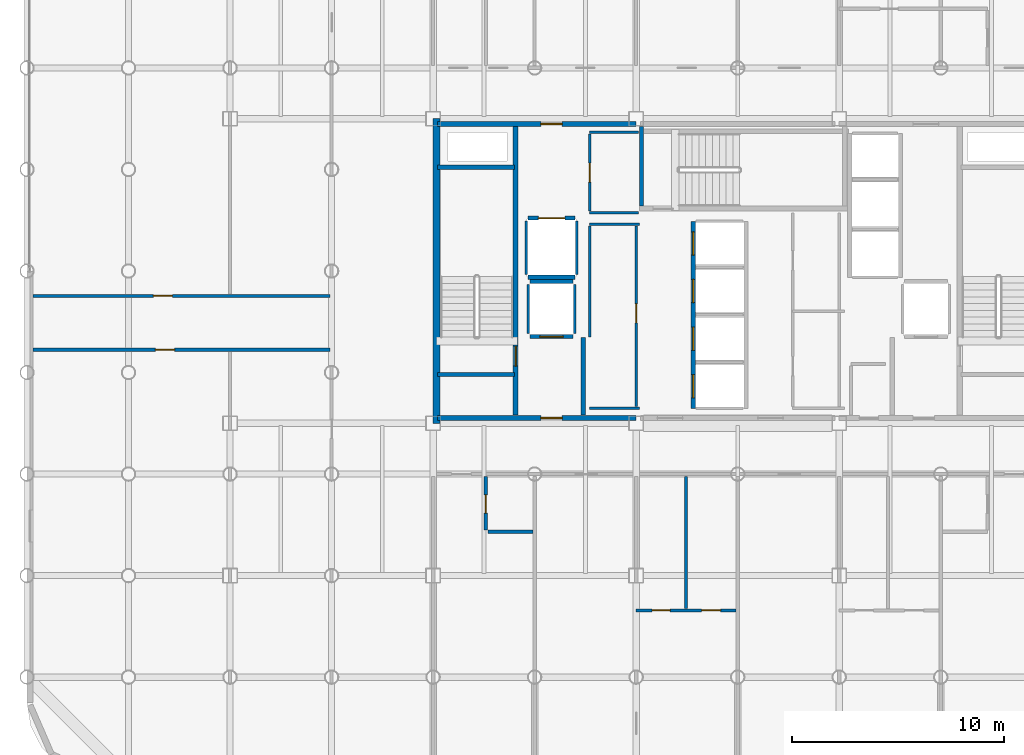
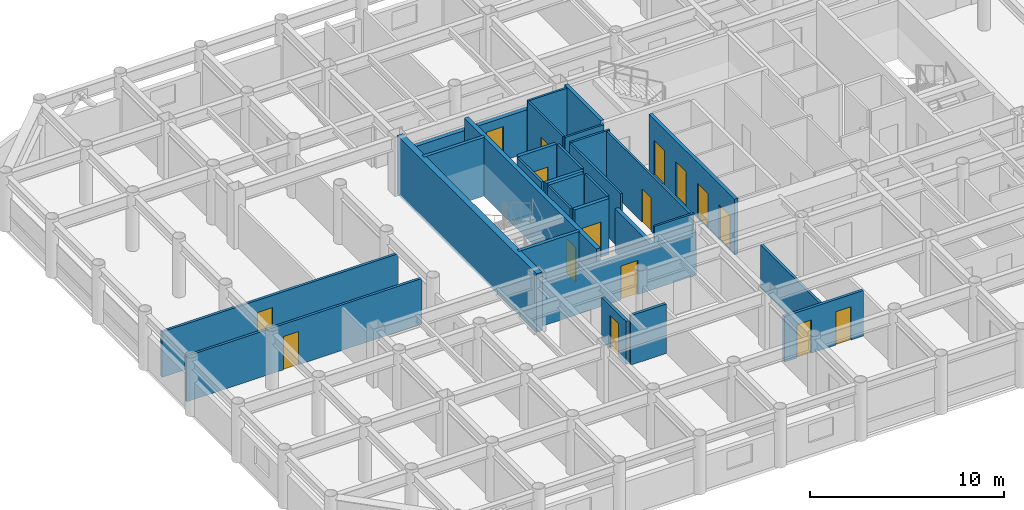
# One storey, part 16 of 20: 30 walls, 16 doors, 16 openings.
"""IFC4 building model written with IfcOpenShell, lengths in metres."""

from ifc_helpers import new_model, si_unit, direction, frame, frame_2d, origin, place, context, subcontext, project, spatial, rectangle, extrude, material, layer, layer_set, type_object, element, fill, save


model = new_model("IFC4")

# Units and contexts
model_context = context("Model", 3, precision=1e-05, world=origin(), true_north=direction((0.0, 1.0)))
body_context = subcontext(model_context, "Body", "Model", "MODEL_VIEW")
ifc_project = project(units=[si_unit("LENGTHUNIT", "METRE"), si_unit("AREAUNIT", "SQUARE_METRE"), si_unit("VOLUMEUNIT", "CUBIC_METRE"), si_unit("PLANEANGLEUNIT", "RADIAN"), si_unit("MASSUNIT", "GRAM", prefix="KILO")], contexts=[model_context])

# Site, building, storey
site_placement = place(None, origin())
site = spatial("IfcSite", under=ifc_project, at=site_placement, CompositionType="ELEMENT")
building_placement = place(site_placement, origin())
building = spatial("IfcBuilding", under=site, at=building_placement, Name="Kallvorn Hotel Tower", CompositionType="ELEMENT")
storey_placement = place(building_placement, frame((0.0, 0.0, 161.800048828125)))
storey = spatial("IfcBuildingStorey", under=building, at=storey_placement, Name="L40", CompositionType="ELEMENT", Elevation=161.800048828125)

# Wall
ifc_material_1 = material(Name="Concrete C50/60", Category="concrete")
ifc_layer_1 = layer(ifc_material_1, 0.35009765625)
ifc_layer_set_1 = layer_set([ifc_layer_1], Name="WL_CORE_350")
wall_type_1 = type_object("IfcWallType", Name="WL_CORE_350", PredefinedType="SHEAR", material=ifc_layer_set_1)
wall_1_placement = place(storey_placement, frame((-14.239990234375, -7.199951171875, -0.179931640625), z_axis=(0.0, 0.0, 1.0), x_axis=(0.0, 1.0, 0.0)))
element("IfcWall", 1, at=wall_1_placement, inside=storey, type_object=wall_type_1, Name="L40 Core West Shear Wall", PredefinedType="SHEAR", context=body_context, shape_type="SweptSolid", body=[
    extrude(rectangle(XDim=14.39990234375, YDim=0.35009765625, at=frame_2d((7.199951171875, 0.0))), origin(), (0.0, 0.0, 1.0), 3.699951171875),
])

# Wall, openings, doors
ifc_material_2 = material(Name="Fire-rated double-layer acoustic gypsum drywall EI 60")
ifc_layer_2 = layer(ifc_material_2, 0.159912109375)
ifc_layer_set_2 = layer_set([ifc_layer_2], Name="WL_DEMISE_160")
wall_type_2 = type_object("IfcWallType", Name="WL_DEMISE_160", PredefinedType="PARTITIONING", material=ifc_layer_set_2)
wall_2_placement = place(storey_placement, frame((-4.800048828125, -16.050048828125, 0.0), z_axis=(0.0, 0.0, 1.0), x_axis=(1.0, 0.0, 0.0)))
wall_2 = element("IfcWall", 2, at=wall_2_placement, inside=storey, type_object=wall_type_2, Name="L40 Suite 4002 Executive Bedroom Partition", PredefinedType="PARTITIONING", context=body_context, shape_type="SweptSolid", body=[
    extrude(rectangle(XDim=4.719970703125, YDim=0.159912109375, at=frame_2d((2.35986328125, 0.0))), origin(), (0.0, 0.0, 1.0), 2.869873046875),
])
opening_1_placement = place(wall_2_placement, frame((0.75, 0.0, 0.0)))
opening_1 = element("IfcOpeningElement", 3, at=opening_1_placement, cuts=wall_2, Name="Opening BD-I", PredefinedType="OPENING", context=body_context, shape_type="SweptSolid", body=[
    extrude(rectangle(XDim=0.860107421875, YDim=2.10009765625, at=frame_2d((0.43017578125, 1.050048828125))), frame((0.0, 0.094970703125, 0.0), z_axis=(0.0, -1.0, 0.0), x_axis=(1.0, 0.0, 0.0)), (0.0, 0.0, 1.0), 0.18994140625),
])
opening_2_placement = place(wall_2_placement, frame((3.090087890625, 0.0, 0.0)))
opening_2 = element("IfcOpeningElement", 4, at=opening_2_placement, cuts=wall_2, Name="Opening SVD1", PredefinedType="OPENING", context=body_context, shape_type="SweptSolid", body=[
    extrude(rectangle(XDim=0.89990234375, YDim=2.10009765625, at=frame_2d((0.449951171875, 1.050048828125))), frame((0.0, 0.094970703125, 0.0), z_axis=(0.0, -1.0, 0.0), x_axis=(1.0, 0.0, 0.0)), (0.0, 0.0, 1.0), 0.18994140625),
])
ifc_material_3 = material(Name="Solid-core walnut veneer fire-rated timber door leaf", Category="wood")
door_type_1 = type_object("IfcDoorType", Name="DR_BATH_860x2100", OperationType="NOTDEFINED", PredefinedType="DOOR", material=ifc_material_3)
door_1_placement = place(opening_1_placement, origin())
door_1 = element("IfcDoor", 5, at=door_1_placement, inside=storey, type_object=door_type_1, Name="L40 Suite 4002 En-Suite Bathroom Door", OperationType="SINGLE_SWING_RIGHT", OverallHeight=2.10009765625, OverallWidth=0.860107421875, PredefinedType="DOOR", context=body_context, shape_type="SweptSolid", body=[
    extrude(rectangle(XDim=0.860107421875, YDim=2.10009765625, at=frame_2d((0.43017578125, 1.050048828125))), frame((0.0, 0.02490234375, 0.0), z_axis=(0.0, -1.0, 0.0), x_axis=(1.0, 0.0, 0.0)), (0.0, 0.0, 1.0), 0.050048828125),
])
fill(opening_1, door_1)
ifc_material_4 = material(Name="Galvanised painted steel fire-rated door assembly", Category="steel")
door_type_2 = type_object("IfcDoorType", Name="DR_SERV_900x2100", OperationType="NOTDEFINED", PredefinedType="DOOR", material=ifc_material_4)
door_2_placement = place(opening_2_placement, origin())
door_2 = element("IfcDoor", 6, at=door_2_placement, inside=storey, type_object=door_type_2, Name="L40 Suite 4002 Walk-In Dressing Closet Door", OperationType="SINGLE_SWING_LEFT", OverallHeight=2.10009765625, OverallWidth=0.89990234375, PredefinedType="DOOR", context=body_context, shape_type="SweptSolid", body=[
    extrude(rectangle(XDim=0.89990234375, YDim=2.10009765625, at=frame_2d((0.449951171875, 1.050048828125))), frame((0.0, 0.02490234375, 0.0), z_axis=(0.0, -1.0, 0.0), x_axis=(1.0, 0.0, 0.0)), (0.0, 0.0, 1.0), 0.050048828125),
])
fill(opening_2, door_2)

# Wall
wall_3_placement = place(storey_placement, frame((-11.81005859375, -12.320068359375, 0.0), z_axis=(0.0, 0.0, 1.0), x_axis=(1.0, 0.0, 0.0)))
element("IfcWall", 7, at=wall_3_placement, inside=storey, type_object=wall_type_2, Name="L40 Suite 4001 Superior Twin Room Partition", PredefinedType="PARTITIONING", context=body_context, shape_type="SweptSolid", body=[
    extrude(rectangle(XDim=2.130126953125, YDim=0.159912109375, at=frame_2d((1.06494140625, 0.0))), origin(), (0.0, 0.0, 1.0), 3.119873046875),
])

# Wall, opening, door
wall_4_placement = place(storey_placement, frame((-11.905029296875, -12.235107421875, 0.0), z_axis=(0.0, 0.0, 1.0), x_axis=(0.0, 1.0, 0.0)))
wall_4 = element("IfcWall", 8, at=wall_4_placement, inside=storey, type_object=wall_type_2, Name="L40 Suite 4001 Superior Twin Room Partition", PredefinedType="PARTITIONING", context=body_context, shape_type="SweptSolid", body=[
    extrude(rectangle(XDim=2.51513671875, YDim=0.159912109375, at=frame_2d((1.257568359375, 0.0))), origin(), (0.0, 0.0, 1.0), 2.719970703125),
])
opening_3_placement = place(wall_4_placement, frame((0.784912109375, 0.0, 0.0)))
opening_3 = element("IfcOpeningElement", 9, at=opening_3_placement, cuts=wall_4, Name="Opening BD-I", PredefinedType="OPENING", context=body_context, shape_type="SweptSolid", body=[
    extrude(rectangle(XDim=0.860107421875, YDim=2.10009765625, at=frame_2d((0.43017578125, 1.050048828125))), frame((0.0, 0.094970703125, 0.0), z_axis=(0.0, -1.0, 0.0), x_axis=(1.0, 0.0, 0.0)), (0.0, 0.0, 1.0), 0.18994140625),
])
door_3_placement = place(opening_3_placement, origin())
door_3 = element("IfcDoor", 10, at=door_3_placement, inside=storey, type_object=door_type_1, Name="L40 Suite 4001 En-Suite Bathroom Door", OperationType="SINGLE_SWING_RIGHT", OverallHeight=2.10009765625, OverallWidth=0.860107421875, PredefinedType="DOOR", context=body_context, shape_type="SweptSolid", body=[
    extrude(rectangle(XDim=0.860107421875, YDim=2.10009765625, at=frame_2d((0.43017578125, 1.050048828125))), frame((0.0, 0.02490234375, 0.0), z_axis=(0.0, -1.0, 0.0), x_axis=(1.0, 0.0, 0.0)), (0.0, 0.0, 1.0), 0.050048828125),
])
fill(opening_3, door_3)

# Walls
ifc_material_5 = material(Name="Concrete C40/50", Category="concrete")
ifc_layer_3 = layer(ifc_material_5, 0.219970703125)
ifc_layer_set_3 = layer_set([ifc_layer_3], Name="WL_FFL_220")
wall_type_3 = type_object("IfcWallType", Name="WL_FFL_220", PredefinedType="SOLIDWALL", material=ifc_layer_set_3)
wall_5_placement = place(storey_placement, frame((-7.300048828125, -6.820068359375, 0.0), z_axis=(0.0, 0.0, 1.0), x_axis=(0.0, 1.0, 0.0)))
element("IfcWall", 11, at=wall_5_placement, inside=storey, type_object=wall_type_3, Name="L40 Firefighting Lobby West Divider Wall", PredefinedType="SOLIDWALL", context=body_context, shape_type="SweptSolid", body=[
    extrude(rectangle(XDim=3.670166015625, YDim=0.219970703125, at=frame_2d((1.8349609375, 0.0))), origin(), (0.0, 0.0, 1.0), 2.719970703125),
])
ifc_material_6 = material(Name="Concrete C40/50", Category="concrete")
ifc_layer_4 = layer(ifc_material_6, 0.199951171875)
ifc_layer_set_4 = layer_set([ifc_layer_4], Name="WL_HOIST_200")
wall_type_4 = type_object("IfcWallType", Name="WL_HOIST_200", PredefinedType="SOLIDWALL", material=ifc_layer_set_4)
for number, where, z_axis, x_axis, name in (
    (12, (-14.199951171875, -4.89990234375, -0.179931640625), (0.0, 0.0, 1.0), (1.0, 0.0, 0.0), "L40 Stair ST1 South Wall"),
    (13, (-14.199951171875, 4.89990234375, -0.179931640625), (0.0, 0.0, 1.0), (1.0, 0.0, 0.0), "L40 Stair ST1 North Wall"),
):
    element("IfcWall", number, at=place(storey_placement, frame(where, z_axis=z_axis, x_axis=x_axis)), inside=storey, type_object=wall_type_4, Name=name, PredefinedType="SOLIDWALL", context=body_context, shape_type="SweptSolid", body=[
        extrude(rectangle(XDim=3.64990234375, YDim=0.199951171875, at=frame_2d((1.824951171875, 0.0))), origin(), (0.0, 0.0, 1.0), 3.699951171875),
    ])
wall_6_placement = place(storey_placement, frame((-4.550048828125, 3.080078125, -0.179931640625), z_axis=(0.0, 0.0, 1.0), x_axis=(0.0, 1.0, 0.0)))
element("IfcWall", 14, at=wall_6_placement, inside=storey, type_object=wall_type_4, Name="L40 Stair ST3 West Wall", PredefinedType="SOLIDWALL", context=body_context, shape_type="SweptSolid", body=[
    extrude(rectangle(XDim=3.739990234375, YDim=0.199951171875, at=frame_2d((1.8701171875, 0.0))), origin(), (0.0, 0.0, 1.0), 3.699951171875),
])

# Wall, openings, doors
wall_7_placement = place(storey_placement, frame((-2.10009765625, -6.5, 0.0), z_axis=(0.0, 0.0, 1.0), x_axis=(0.0, 1.0, 0.0)))
wall_7 = element("IfcWall", 15, at=wall_7_placement, inside=storey, type_object=wall_type_4, Name="L40 Lift Bank B2 Landing Wall", PredefinedType="SOLIDWALL", context=body_context, shape_type="SweptSolid", body=[
    extrude(rectangle(XDim=8.85009765625, YDim=0.199951171875, at=frame_2d((4.425048828125, 0.0))), origin(), (0.0, 0.0, 1.0), 3.52001953125),
])
opening_4_placement = place(wall_7_placement, frame((0.5, 0.0, 0.0)))
opening_4 = element("IfcOpeningElement", 16, at=opening_4_placement, cuts=wall_7, Name="Opening LD-PL-05", PredefinedType="OPENING", context=body_context, shape_type="SweptSolid", body=[
    extrude(rectangle(XDim=1.10009765625, YDim=2.199951171875, at=frame_2d((0.550048828125, 1.10009765625))), frame((0.0, 0.114990234375, 0.0), z_axis=(0.0, -1.0, 0.0), x_axis=(1.0, 0.0, 0.0)), (0.0, 0.0, 1.0), 0.22998046875),
])
opening_5_placement = place(wall_7_placement, frame((2.75, 0.0, 0.0)))
opening_5 = element("IfcOpeningElement", 17, at=opening_5_placement, cuts=wall_7, Name="Opening LD-PL-06", PredefinedType="OPENING", context=body_context, shape_type="SweptSolid", body=[
    extrude(rectangle(XDim=1.10009765625, YDim=2.199951171875, at=frame_2d((0.550048828125, 1.10009765625))), frame((0.0, 0.114990234375, 0.0), z_axis=(0.0, -1.0, 0.0), x_axis=(1.0, 0.0, 0.0)), (0.0, 0.0, 1.0), 0.22998046875),
])
opening_6_placement = place(wall_7_placement, frame((5.0, 0.0, 0.0)))
opening_6 = element("IfcOpeningElement", 18, at=opening_6_placement, cuts=wall_7, Name="Opening LD-PL-07", PredefinedType="OPENING", context=body_context, shape_type="SweptSolid", body=[
    extrude(rectangle(XDim=1.10009765625, YDim=2.199951171875, at=frame_2d((0.550048828125, 1.10009765625))), frame((0.0, 0.114990234375, 0.0), z_axis=(0.0, -1.0, 0.0), x_axis=(1.0, 0.0, 0.0)), (0.0, 0.0, 1.0), 0.22998046875),
])
opening_7_placement = place(wall_7_placement, frame((7.25, 0.0, 0.0)))
opening_7 = element("IfcOpeningElement", 19, at=opening_7_placement, cuts=wall_7, Name="Opening LD-PL-08", PredefinedType="OPENING", context=body_context, shape_type="SweptSolid", body=[
    extrude(rectangle(XDim=1.10009765625, YDim=2.199951171875, at=frame_2d((0.550048828125, 1.10009765625))), frame((0.0, 0.114990234375, 0.0), z_axis=(0.0, -1.0, 0.0), x_axis=(1.0, 0.0, 0.0)), (0.0, 0.0, 1.0), 0.22998046875),
])
ifc_material_7 = material(Name="Brushed stainless-steel automatic sliding lift landing door", Category="steel")
door_type_3 = type_object("IfcDoorType", Name="LD_PASS_1100x2200", OperationType="SLIDING_TO_LEFT", PredefinedType="DOOR", material=ifc_material_7)
door_4_placement = place(opening_4_placement, origin())
door_4 = element("IfcDoor", 20, at=door_4_placement, inside=storey, type_object=door_type_3, Name="L40 Lift Landing Sliding Door LD-PL-05", OperationType="SLIDING_TO_LEFT", OverallHeight=2.199951171875, OverallWidth=1.10009765625, PredefinedType="DOOR", context=body_context, shape_type="SweptSolid", body=[
    extrude(rectangle(XDim=1.10009765625, YDim=2.199951171875, at=frame_2d((0.550048828125, 1.10009765625))), frame((0.0, 0.02490234375, 0.0), z_axis=(0.0, -1.0, 0.0), x_axis=(1.0, 0.0, 0.0)), (0.0, 0.0, 1.0), 0.050048828125),
])
fill(opening_4, door_4)
door_5_placement = place(opening_5_placement, origin())
door_5 = element("IfcDoor", 21, at=door_5_placement, inside=storey, type_object=door_type_3, Name="L40 Lift Landing Sliding Door LD-PL-06", OperationType="SLIDING_TO_LEFT", OverallHeight=2.199951171875, OverallWidth=1.10009765625, PredefinedType="DOOR", context=body_context, shape_type="SweptSolid", body=[
    extrude(rectangle(XDim=1.10009765625, YDim=2.199951171875, at=frame_2d((0.550048828125, 1.10009765625))), frame((0.0, 0.02490234375, 0.0), z_axis=(0.0, -1.0, 0.0), x_axis=(1.0, 0.0, 0.0)), (0.0, 0.0, 1.0), 0.050048828125),
])
fill(opening_5, door_5)
door_6_placement = place(opening_6_placement, origin())
door_6 = element("IfcDoor", 22, at=door_6_placement, inside=storey, type_object=door_type_3, Name="L40 Lift Landing Sliding Door LD-PL-07", OperationType="SLIDING_TO_LEFT", OverallHeight=2.199951171875, OverallWidth=1.10009765625, PredefinedType="DOOR", context=body_context, shape_type="SweptSolid", body=[
    extrude(rectangle(XDim=1.10009765625, YDim=2.199951171875, at=frame_2d((0.550048828125, 1.10009765625))), frame((0.0, 0.02490234375, 0.0), z_axis=(0.0, -1.0, 0.0), x_axis=(1.0, 0.0, 0.0)), (0.0, 0.0, 1.0), 0.050048828125),
])
fill(opening_6, door_6)
door_7_placement = place(opening_7_placement, origin())
door_7 = element("IfcDoor", 23, at=door_7_placement, inside=storey, type_object=door_type_3, Name="L40 Lift Landing Sliding Door LD-PL-08", OperationType="SLIDING_TO_LEFT", OverallHeight=2.199951171875, OverallWidth=1.10009765625, PredefinedType="DOOR", context=body_context, shape_type="SweptSolid", body=[
    extrude(rectangle(XDim=1.10009765625, YDim=2.199951171875, at=frame_2d((0.550048828125, 1.10009765625))), frame((0.0, 0.02490234375, 0.0), z_axis=(0.0, -1.0, 0.0), x_axis=(1.0, 0.0, 0.0)), (0.0, 0.0, 1.0), 0.050048828125),
])
fill(opening_7, door_7)

# Wall, opening, door
wall_8_placement = place(storey_placement, frame((-9.820068359375, -3.10009765625, 0.0), z_axis=(0.0, 0.0, 1.0), x_axis=(1.0, 0.0, 0.0)))
wall_8 = element("IfcWall", 24, at=wall_8_placement, inside=storey, type_object=wall_type_4, Name="L40 FL-1 Landing Wall", PredefinedType="SOLIDWALL", context=body_context, shape_type="SweptSolid", body=[
    extrude(rectangle(XDim=2.0400390625, YDim=0.199951171875, at=frame_2d((1.02001953125, 0.0))), origin(), (0.0, 0.0, 1.0), 3.52001953125),
])
opening_8_placement = place(wall_8_placement, frame((0.469970703125, 0.0, 0.0)))
opening_8 = element("IfcOpeningElement", 25, at=opening_8_placement, cuts=wall_8, Name="Opening LD-FL-1", PredefinedType="OPENING", context=body_context, shape_type="SweptSolid", body=[
    extrude(rectangle(XDim=1.10009765625, YDim=2.199951171875, at=frame_2d((0.550048828125, 1.10009765625))), frame((0.0, 0.114990234375, 0.0), z_axis=(0.0, -1.0, 0.0), x_axis=(1.0, 0.0, 0.0)), (0.0, 0.0, 1.0), 0.22998046875),
])
door_8_placement = place(opening_8_placement, origin())
door_8 = element("IfcDoor", 26, at=door_8_placement, inside=storey, type_object=door_type_3, Name="L40 Lift Landing Sliding Door LD-FL-1", OperationType="SLIDING_TO_LEFT", OverallHeight=2.199951171875, OverallWidth=1.10009765625, PredefinedType="DOOR", context=body_context, shape_type="SweptSolid", body=[
    extrude(rectangle(XDim=1.10009765625, YDim=2.199951171875, at=frame_2d((0.550048828125, 1.10009765625))), frame((0.0, 0.02490234375, 0.0), z_axis=(0.0, -1.0, 0.0), x_axis=(1.0, 0.0, 0.0)), (0.0, 0.0, 1.0), 0.050048828125),
])
fill(opening_8, door_8)

# Wall
wall_9_placement = place(storey_placement, frame((-9.820068359375, -0.5, 0.0), z_axis=(0.0, 0.0, 1.0), x_axis=(1.0, 0.0, 0.0)))
element("IfcWall", 27, at=wall_9_placement, inside=storey, type_object=wall_type_4, Name="L40 FL-1 Rear Shaft Wall", PredefinedType="SOLIDWALL", context=body_context, shape_type="SweptSolid", body=[
    extrude(rectangle(XDim=2.0400390625, YDim=0.199951171875, at=frame_2d((1.02001953125, 0.0))), origin(), (0.0, 0.0, 1.0), 3.52001953125),
])

# Wall, opening, door
wall_10_placement = place(storey_placement, frame((-9.919921875, 2.5, 0.0), z_axis=(0.0, 0.0, 1.0), x_axis=(1.0, 0.0, 0.0)))
wall_10 = element("IfcWall", 28, at=wall_10_placement, inside=storey, type_object=wall_type_4, Name="L40 SV-01 Landing Wall", PredefinedType="SOLIDWALL", context=body_context, shape_type="SweptSolid", body=[
    extrude(rectangle(XDim=2.239990234375, YDim=0.199951171875, at=frame_2d((1.1201171875, 0.0))), origin(), (0.0, 0.0, 1.0), 3.52001953125),
])
opening_9_placement = place(wall_10_placement, frame((0.4951171875, 0.0, 0.0)))
opening_9 = element("IfcOpeningElement", 29, at=opening_9_placement, cuts=wall_10, Name="Opening LD-SV-01", PredefinedType="OPENING", context=body_context, shape_type="SweptSolid", body=[
    extrude(rectangle(XDim=1.25, YDim=2.25, at=frame_2d((0.625, 1.125))), frame((0.0, 0.114990234375, 0.0), z_axis=(0.0, -1.0, 0.0), x_axis=(1.0, 0.0, 0.0)), (0.0, 0.0, 1.0), 0.22998046875),
])
ifc_material_8 = material(Name="Brushed stainless-steel automatic sliding lift landing door", Category="steel")
door_type_4 = type_object("IfcDoorType", Name="LD_SERV_1250x2250", OperationType="SLIDING_TO_LEFT", PredefinedType="DOOR", material=ifc_material_8)
door_9_placement = place(opening_9_placement, origin())
door_9 = element("IfcDoor", 30, at=door_9_placement, inside=storey, type_object=door_type_4, Name="L40 Lift Landing Sliding Door LD-SV-01", OperationType="SLIDING_TO_LEFT", OverallHeight=2.25, OverallWidth=1.25, PredefinedType="DOOR", context=body_context, shape_type="SweptSolid", body=[
    extrude(rectangle(XDim=1.25, YDim=2.25, at=frame_2d((0.625, 1.125))), frame((0.0, 0.02490234375, 0.0), z_axis=(0.0, -1.0, 0.0), x_axis=(1.0, 0.0, 0.0)), (0.0, 0.0, 1.0), 0.050048828125),
])
fill(opening_9, door_9)

# Walls
wall_11_placement = place(storey_placement, frame((-9.919921875, -0.300048828125, 0.0), z_axis=(0.0, 0.0, 1.0), x_axis=(1.0, 0.0, 0.0)))
element("IfcWall", 31, at=wall_11_placement, inside=storey, type_object=wall_type_4, Name="L40 SV-01 Rear Shaft Wall", PredefinedType="SOLIDWALL", context=body_context, shape_type="SweptSolid", body=[
    extrude(rectangle(XDim=2.239990234375, YDim=0.199951171875, at=frame_2d((1.1201171875, 0.0))), origin(), (0.0, 0.0, 1.0), 3.52001953125),
])
ifc_material_9 = material(Name="Fire-rated double-layer acoustic gypsum drywall EI 60")
ifc_layer_5 = layer(ifc_material_9, 0.1201171875)
ifc_layer_set_5 = layer_set([ifc_layer_5], Name="WL_INT_120")
wall_type_5 = type_object("IfcWallType", Name="WL_INT_120", PredefinedType="PARTITIONING", material=ifc_layer_set_5)
for number, where, z_axis, x_axis, name in (
    (32, (-9.89990234375, -2.9599609375, 0.0), (0.0, 0.0, 1.0), (0.0, 1.0, 0.0), "L40 FL-1 West Shaft Wall"),
    (33, (-7.699951171875, -2.9599609375, 0.0), (0.0, 0.0, 1.0), (0.0, 1.0, 0.0), "L40 FL-1 East Shaft Wall"),
):
    element("IfcWall", number, at=place(storey_placement, frame(where, z_axis=z_axis, x_axis=x_axis)), inside=storey, type_object=wall_type_5, Name=name, PredefinedType="PARTITIONING", context=body_context, shape_type="SweptSolid", body=[
        extrude(rectangle(XDim=2.320068359375, YDim=0.1201171875, at=frame_2d((1.16015625, 0.0))), origin(), (0.0, 0.0, 1.0), 3.52001953125),
    ])
for number, where, z_axis, x_axis, name in (
    (34, (-10.0, -0.159912109375, 0.0), (0.0, 0.0, 1.0), (0.0, 1.0, 0.0), "L40 SV-01 West Shaft Wall"),
    (35, (-7.60009765625, -0.159912109375, 0.0), (0.0, 0.0, 1.0), (0.0, 1.0, 0.0), "L40 SV-01 East Shaft Wall"),
):
    element("IfcWall", number, at=place(storey_placement, frame(where, z_axis=z_axis, x_axis=x_axis)), inside=storey, type_object=wall_type_5, Name=name, PredefinedType="PARTITIONING", context=body_context, shape_type="SweptSolid", body=[
        extrude(rectangle(XDim=2.52001953125, YDim=0.1201171875, at=frame_2d((1.260009765625, 0.0))), origin(), (0.0, 0.0, 1.0), 3.52001953125),
    ])
for number, where, z_axis, x_axis, name in (
    (36, (-7.0, -6.5, 0.0), (0.0, 0.0, 1.0), (1.0, 0.0, 0.0), "L40 Recaptured Butler and Room-Service Pantry Partition"),
    (37, (-7.0, 2.199951171875, 0.0), (0.0, 0.0, 1.0), (1.0, 0.0, 0.0), "L40 Recaptured Butler and Room-Service Pantry Partition"),
):
    element("IfcWall", number, at=place(storey_placement, frame(where, z_axis=z_axis, x_axis=x_axis)), inside=storey, type_object=wall_type_5, Name=name, PredefinedType="PARTITIONING", context=body_context, shape_type="SweptSolid", body=[
        extrude(rectangle(XDim=2.35009765625, YDim=0.1201171875, at=frame_2d((1.175048828125, 0.0))), origin(), (0.0, 0.0, 1.0), 3.52001953125),
    ])
for number, where, z_axis, x_axis, name in (
    (38, (-7.0, 2.75, 0.0), (0.0, 0.0, 1.0), (1.0, 0.0, 0.0), "L40 Recaptured Valet and Linen Reserve Store Partition"),
    (39, (-7.0, 6.550048828125, 0.0), (0.0, 0.0, 1.0), (1.0, 0.0, 0.0), "L40 Recaptured Valet and Linen Reserve Store Partition"),
):
    element("IfcWall", number, at=place(storey_placement, frame(where, z_axis=z_axis, x_axis=x_axis)), inside=storey, type_object=wall_type_5, Name=name, PredefinedType="PARTITIONING", context=body_context, shape_type="SweptSolid", body=[
        extrude(rectangle(XDim=2.31005859375, YDim=0.1201171875, at=frame_2d((1.155029296875, 0.0))), origin(), (0.0, 0.0, 1.0), 3.52001953125),
    ])
wall_12_placement = place(storey_placement, frame((-7.0, -3.110107421875, 0.0), z_axis=(0.0, 0.0, 1.0), x_axis=(0.0, 1.0, 0.0)))
element("IfcWall", 40, at=wall_12_placement, inside=storey, type_object=wall_type_5, Name="L40 Recaptured Butler and Room-Service Pantry Partition", PredefinedType="PARTITIONING", context=body_context, shape_type="SweptSolid", body=[
    extrude(rectangle(XDim=5.22509765625, YDim=0.1201171875, at=frame_2d((2.612548828125, 0.0))), origin(), (0.0, 0.0, 1.0), 3.52001953125),
])

# Wall, opening, door
wall_13_placement = place(storey_placement, frame((-7.0, 2.8349609375, 0.0), z_axis=(0.0, 0.0, 1.0), x_axis=(0.0, 1.0, 0.0)))
wall_13 = element("IfcWall", 41, at=wall_13_placement, inside=storey, type_object=wall_type_5, Name="L40 Recaptured Valet and Linen Reserve Store Partition", PredefinedType="PARTITIONING", context=body_context, shape_type="SweptSolid", body=[
    extrude(rectangle(XDim=3.630126953125, YDim=0.1201171875, at=frame_2d((1.81494140625, 0.0))), origin(), (0.0, 0.0, 1.0), 3.52001953125),
])
opening_10_placement = place(wall_13_placement, frame((1.364990234375, 0.0, 0.0)))
opening_10 = element("IfcOpeningElement", 42, at=opening_10_placement, cuts=wall_13, Name="Opening SVD1", PredefinedType="OPENING", context=body_context, shape_type="SweptSolid", body=[
    extrude(rectangle(XDim=0.89990234375, YDim=2.10009765625, at=frame_2d((0.449951171875, 1.050048828125))), frame((0.0, 0.074951171875, 0.0), z_axis=(0.0, -1.0, 0.0), x_axis=(1.0, 0.0, 0.0)), (0.0, 0.0, 1.0), 0.150146484375),
])
door_10_placement = place(opening_10_placement, origin())
door_10 = element("IfcDoor", 43, at=door_10_placement, inside=storey, type_object=door_type_2, Name="L40 Recaptured Valet and Linen Reserve Store Door", OperationType="SINGLE_SWING_LEFT", OverallHeight=2.10009765625, OverallWidth=0.89990234375, PredefinedType="DOOR", context=body_context, shape_type="SweptSolid", body=[
    extrude(rectangle(XDim=0.89990234375, YDim=2.10009765625, at=frame_2d((0.449951171875, 1.050048828125))), frame((0.0, 0.02490234375, 0.0), z_axis=(0.0, -1.0, 0.0), x_axis=(1.0, 0.0, 0.0)), (0.0, 0.0, 1.0), 0.050048828125),
])
fill(opening_10, door_10)

wall_14_placement = place(storey_placement, frame((-4.800048828125, -6.4150390625, 0.0), z_axis=(0.0, 0.0, 1.0), x_axis=(0.0, 1.0, 0.0)))
wall_14 = element("IfcWall", 44, at=wall_14_placement, inside=storey, type_object=wall_type_5, Name="L40 Recaptured Butler and Room-Service Pantry Partition", PredefinedType="PARTITIONING", context=body_context, shape_type="SweptSolid", body=[
    extrude(rectangle(XDim=8.530029296875, YDim=0.1201171875, at=frame_2d((4.26513671875, 0.0))), origin(), (0.0, 0.0, 1.0), 3.52001953125),
])
opening_11_placement = place(wall_14_placement, frame((3.965087890625, 0.0, 0.0)))
opening_11 = element("IfcOpeningElement", 45, at=opening_11_placement, cuts=wall_14, Name="Opening SVD1", PredefinedType="OPENING", context=body_context, shape_type="SweptSolid", body=[
    extrude(rectangle(XDim=0.89990234375, YDim=2.10009765625, at=frame_2d((0.449951171875, 1.050048828125))), frame((0.0, 0.074951171875, 0.0), z_axis=(0.0, -1.0, 0.0), x_axis=(1.0, 0.0, 0.0)), (0.0, 0.0, 1.0), 0.150146484375),
])
door_11_placement = place(opening_11_placement, origin())
door_11 = element("IfcDoor", 46, at=door_11_placement, inside=storey, type_object=door_type_2, Name="L40 Recaptured Butler and Room-Service Pantry Door", OperationType="SINGLE_SWING_RIGHT", OverallHeight=2.10009765625, OverallWidth=0.89990234375, PredefinedType="DOOR", context=body_context, shape_type="SweptSolid", body=[
    extrude(rectangle(XDim=0.89990234375, YDim=2.10009765625, at=frame_2d((0.449951171875, 1.050048828125))), frame((0.0, 0.02490234375, 0.0), z_axis=(0.0, -1.0, 0.0), x_axis=(1.0, 0.0, 0.0)), (0.0, 0.0, 1.0), 0.050048828125),
])
fill(opening_11, door_11)

ifc_material_10 = material(Name="Fire-rated double-layer acoustic gypsum drywall EI 60")
ifc_layer_6 = layer(ifc_material_10, 0.14990234375)
ifc_layer_set_6 = layer_set([ifc_layer_6], Name="WL_PART_150")
wall_type_6 = type_object("IfcWallType", Name="WL_PART_150", PredefinedType="PARTITIONING", material=ifc_layer_set_6)
wall_15_placement = place(storey_placement, frame((-33.31005859375, -3.719970703125, 0.0), z_axis=(0.0, 0.0, 1.0), x_axis=(1.0, 0.0, 0.0)))
wall_15 = element("IfcWall", 47, at=wall_15_placement, inside=storey, type_object=wall_type_6, Name="L40 L40 Outer South-West Tea Bar Partition", PredefinedType="PARTITIONING", context=body_context, shape_type="SweptSolid", body=[
    extrude(rectangle(XDim=14.030029296875, YDim=0.14990234375, at=frame_2d((7.01513671875, 0.0))), origin(), (0.0, 0.0, 1.0), 2.869873046875),
])
opening_12_placement = place(wall_15_placement, frame((5.78515625, 0.0, 0.0)))
opening_12 = element("IfcOpeningElement", 48, at=opening_12_placement, cuts=wall_15, Name="Opening SVD1", PredefinedType="OPENING", context=body_context, shape_type="SweptSolid", body=[
    extrude(rectangle(XDim=0.89990234375, YDim=2.10009765625, at=frame_2d((0.449951171875, 1.050048828125))), frame((0.0, 0.08984375, 0.0), z_axis=(0.0, -1.0, 0.0), x_axis=(1.0, 0.0, 0.0)), (0.0, 0.0, 1.0), 0.179931640625),
])
door_12_placement = place(opening_12_placement, origin())
door_12 = element("IfcDoor", 49, at=door_12_placement, inside=storey, type_object=door_type_2, Name="L40 L40 Outer South-West Tea Bar Door", OperationType="SINGLE_SWING_RIGHT", OverallHeight=2.10009765625, OverallWidth=0.89990234375, PredefinedType="DOOR", context=body_context, shape_type="SweptSolid", body=[
    extrude(rectangle(XDim=0.89990234375, YDim=2.10009765625, at=frame_2d((0.449951171875, 1.050048828125))), frame((0.0, 0.02490234375, 0.0), z_axis=(0.0, -1.0, 0.0), x_axis=(1.0, 0.0, 0.0)), (0.0, 0.0, 1.0), 0.050048828125),
])
fill(opening_12, door_12)

wall_16_placement = place(storey_placement, frame((-33.31005859375, -1.179931640625, 0.0), z_axis=(0.0, 0.0, 1.0), x_axis=(1.0, 0.0, 0.0)))
wall_16 = element("IfcWall", 50, at=wall_16_placement, inside=storey, type_object=wall_type_6, Name="L40 L40 Outer North-West Fitness Gymnasium Partition", PredefinedType="PARTITIONING", context=body_context, shape_type="SweptSolid", body=[
    extrude(rectangle(XDim=14.030029296875, YDim=0.14990234375, at=frame_2d((7.01513671875, 0.0))), origin(), (0.0, 0.0, 1.0), 2.869873046875),
])
opening_13_placement = place(wall_16_placement, frame((5.685791015625, 0.0, 0.0)))
opening_13 = element("IfcOpeningElement", 51, at=opening_13_placement, cuts=wall_16, Name="Opening SVD1", PredefinedType="OPENING", context=body_context, shape_type="SweptSolid", body=[
    extrude(rectangle(XDim=0.89990234375, YDim=2.10009765625, at=frame_2d((0.449951171875, 1.050048828125))), frame((0.0, 0.08984375, 0.0), z_axis=(0.0, -1.0, 0.0), x_axis=(1.0, 0.0, 0.0)), (0.0, 0.0, 1.0), 0.179931640625),
])
door_13_placement = place(opening_13_placement, origin())
door_13 = element("IfcDoor", 52, at=door_13_placement, inside=storey, type_object=door_type_2, Name="L40 L40 Outer North-West Fitness Gymnasium Door", OperationType="SINGLE_SWING_LEFT", OverallHeight=2.10009765625, OverallWidth=0.89990234375, PredefinedType="DOOR", context=body_context, shape_type="SweptSolid", body=[
    extrude(rectangle(XDim=0.89990234375, YDim=2.10009765625, at=frame_2d((0.449951171875, 1.050048828125))), frame((0.0, 0.02490234375, 0.0), z_axis=(0.0, -1.0, 0.0), x_axis=(1.0, 0.0, 0.0)), (0.0, 0.0, 1.0), 0.050048828125),
])
fill(opening_13, door_13)

# Wall
wall_17_placement = place(storey_placement, frame((-2.43994140625, -15.965087890625, 0.0), z_axis=(0.0, 0.0, 1.0), x_axis=(0.0, 1.0, 0.0)))
element("IfcWall", 53, at=wall_17_placement, inside=storey, type_object=wall_type_6, Name="L40 Suite 4002 Walk-In Dressing Closet Partition", PredefinedType="PARTITIONING", context=body_context, shape_type="SweptSolid", body=[
    extrude(rectangle(XDim=6.2451171875, YDim=0.14990234375, at=frame_2d((3.12255859375, 0.0))), origin(), (0.0, 0.0, 1.0), 2.719970703125),
])

# Wall, opening, door
ifc_material_11 = material(Name="Concrete C40/50", Category="concrete")
ifc_layer_7 = layer(ifc_material_11, 0.25)
ifc_layer_set_7 = layer_set([ifc_layer_7], Name="WL_SHAFT_250")
wall_type_7 = type_object("IfcWallType", Name="WL_SHAFT_250", PredefinedType="SOLIDWALL", material=ifc_layer_set_7)
wall_18_placement = place(storey_placement, frame((-14.199951171875, -6.949951171875, 0.0), z_axis=(0.0, 0.0, 1.0), x_axis=(1.0, 0.0, 0.0)))
wall_18 = element("IfcWall", 54, at=wall_18_placement, inside=storey, type_object=wall_type_7, Name="L40 Core South-West Wall", PredefinedType="SOLIDWALL", context=body_context, shape_type="SweptSolid", body=[
    extrude(rectangle(XDim=9.39990234375, YDim=0.25, at=frame_2d((4.699951171875, 0.0))), origin(), (0.0, 0.0, 1.0), 2.719970703125),
])
opening_14_placement = place(wall_18_placement, frame((4.89990234375, 0.0, 0.0)))
opening_14 = element("IfcOpeningElement", 55, at=opening_14_placement, cuts=wall_18, Name="Opening FD1", PredefinedType="OPENING", context=body_context, shape_type="SweptSolid", body=[
    extrude(rectangle(XDim=1.0, YDim=2.14990234375, at=frame_2d((0.5, 1.074951171875))), frame((0.0, 0.139892578125, 0.0), z_axis=(0.0, -1.0, 0.0), x_axis=(1.0, 0.0, 0.0)), (0.0, 0.0, 1.0), 0.280029296875),
])
ifc_material_12 = material(Name="Galvanised painted steel fire-rated door assembly", Category="steel")
door_type_5 = type_object("IfcDoorType", Name="DR_FFL_1000x2150", OperationType="NOTDEFINED", PredefinedType="DOOR", material=ifc_material_12)
door_14_placement = place(opening_14_placement, origin())
door_14 = element("IfcDoor", 56, at=door_14_placement, inside=storey, type_object=door_type_5, Name="L40 Firefighting Lobby West Door", OperationType="SINGLE_SWING_LEFT", OverallHeight=2.14990234375, OverallWidth=1.0, PredefinedType="DOOR", context=body_context, shape_type="SweptSolid", body=[
    extrude(rectangle(XDim=1.0, YDim=2.14990234375, at=frame_2d((0.5, 1.074951171875))), frame((0.0, 0.02490234375, 0.0), z_axis=(0.0, -1.0, 0.0), x_axis=(1.0, 0.0, 0.0)), (0.0, 0.0, 1.0), 0.050048828125),
])
fill(opening_14, door_14)

wall_19_placement = place(storey_placement, frame((-14.199951171875, 6.949951171875, 0.0), z_axis=(0.0, 0.0, 1.0), x_axis=(1.0, 0.0, 0.0)))
wall_19 = element("IfcWall", 57, at=wall_19_placement, inside=storey, type_object=wall_type_7, Name="L40 Core North-West Wall", PredefinedType="SOLIDWALL", context=body_context, shape_type="SweptSolid", body=[
    extrude(rectangle(XDim=9.39990234375, YDim=0.25, at=frame_2d((4.699951171875, 0.0))), origin(), (0.0, 0.0, 1.0), 2.719970703125),
])
opening_15_placement = place(wall_19_placement, frame((4.89990234375, 0.0, 0.0)))
opening_15 = element("IfcOpeningElement", 58, at=opening_15_placement, cuts=wall_19, Name="Opening FD1", PredefinedType="OPENING", context=body_context, shape_type="SweptSolid", body=[
    extrude(rectangle(XDim=1.0, YDim=2.14990234375, at=frame_2d((0.5, 1.074951171875))), frame((0.0, 0.139892578125, 0.0), z_axis=(0.0, -1.0, 0.0), x_axis=(1.0, 0.0, 0.0)), (0.0, 0.0, 1.0), 0.280029296875),
])
door_15_placement = place(opening_15_placement, origin())
door_15 = element("IfcDoor", 59, at=door_15_placement, inside=storey, type_object=door_type_5, Name="L40 Service Lift Lobby Door", OperationType="SINGLE_SWING_RIGHT", OverallHeight=2.14990234375, OverallWidth=1.0, PredefinedType="DOOR", context=body_context, shape_type="SweptSolid", body=[
    extrude(rectangle(XDim=1.0, YDim=2.14990234375, at=frame_2d((0.5, 1.074951171875))), frame((0.0, 0.02490234375, 0.0), z_axis=(0.0, -1.0, 0.0), x_axis=(1.0, 0.0, 0.0)), (0.0, 0.0, 1.0), 0.050048828125),
])
fill(opening_15, door_15)

wall_20_placement = place(storey_placement, frame((-10.5, -6.820068359375, -0.179931640625), z_axis=(0.0, 0.0, 1.0), x_axis=(0.0, 1.0, 0.0)))
wall_20 = element("IfcWall", 60, at=wall_20_placement, inside=storey, type_object=wall_type_7, Name="L40 Stair ST1 Shaft Wall", PredefinedType="SOLIDWALL", context=body_context, shape_type="SweptSolid", body=[
    extrude(rectangle(XDim=13.64013671875, YDim=0.25, at=frame_2d((6.820068359375, 0.0))), origin(), (0.0, 0.0, 1.0), 3.699951171875),
])
opening_16_placement = place(wall_20_placement, frame((2.320068359375, 0.0, 0.179931640625)))
opening_16 = element("IfcOpeningElement", 61, at=opening_16_placement, cuts=wall_20, Name="Opening SD1", PredefinedType="OPENING", context=body_context, shape_type="SweptSolid", body=[
    extrude(rectangle(XDim=0.949951171875, YDim=2.14990234375, at=frame_2d((0.47509765625, 1.074951171875))), frame((0.0, 0.139892578125, 0.0), z_axis=(0.0, -1.0, 0.0), x_axis=(1.0, 0.0, 0.0)), (0.0, 0.0, 1.0), 0.280029296875),
])
ifc_material_13 = material(Name="Galvanised painted steel fire-rated door assembly", Category="steel")
door_type_6 = type_object("IfcDoorType", Name="DR_STAIR_950x2150", OperationType="NOTDEFINED", PredefinedType="DOOR", material=ifc_material_13)
door_16_placement = place(opening_16_placement, origin())
door_16 = element("IfcDoor", 62, at=door_16_placement, inside=storey, type_object=door_type_6, Name="L40 Exit Stair ST1 Fire Door", OperationType="SINGLE_SWING_RIGHT", OverallHeight=2.14990234375, OverallWidth=0.949951171875, PredefinedType="DOOR", context=body_context, shape_type="SweptSolid", body=[
    extrude(rectangle(XDim=0.949951171875, YDim=2.14990234375, at=frame_2d((0.47509765625, 1.074951171875))), frame((0.0, 0.02490234375, 0.0), z_axis=(0.0, -1.0, 0.0), x_axis=(1.0, 0.0, 0.0)), (0.0, 0.0, 1.0), 0.050048828125),
])
fill(opening_16, door_16)

save(model, "model.ifc")
